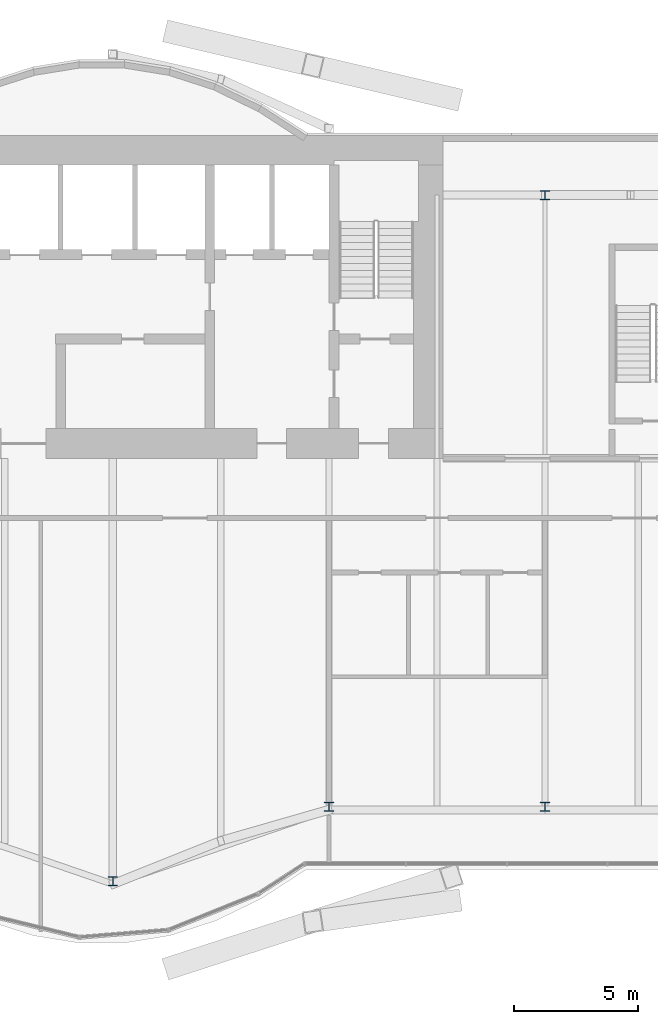
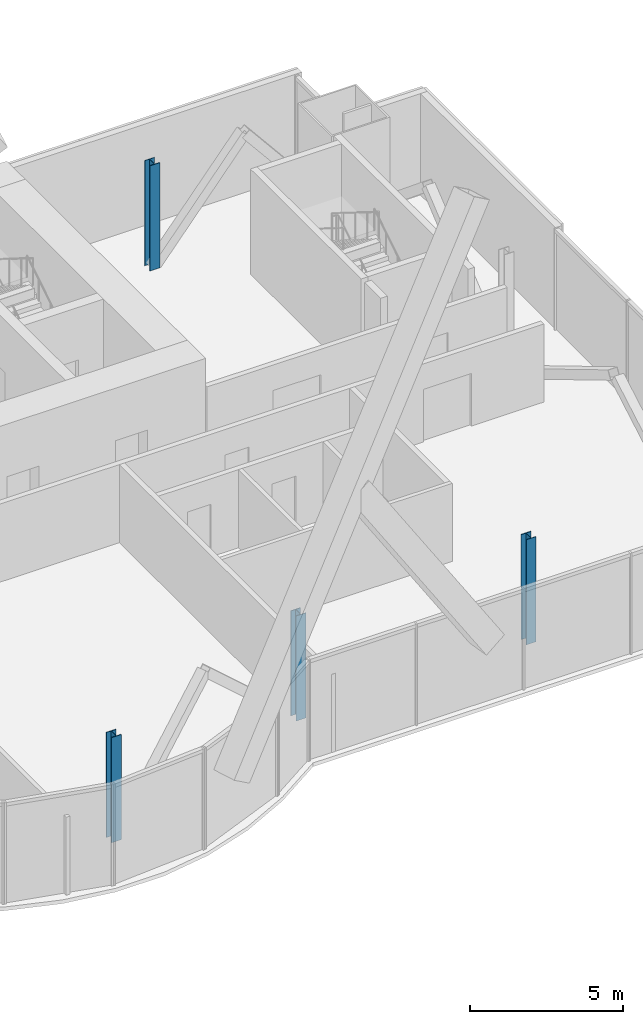
# One storey, part 2 of 22: 4 columns.
"""IFC4 building model written with IfcOpenShell, lengths in metres."""

from ifc_helpers import new_model, si_unit, direction, frame, origin, origin_2d, place, context, subcontext, project, spatial, i_section, extrude, material, material_profile, profile_set, type_object, element, save


model = new_model("IFC4")

# Units and contexts
model_context = context("Model", 3, precision=1e-05, world=origin(), true_north=direction((0.0, 1.0)))
body_context = subcontext(model_context, "Body", "Model", "MODEL_VIEW")
ifc_project = project(units=[si_unit("LENGTHUNIT", "METRE"), si_unit("AREAUNIT", "SQUARE_METRE"), si_unit("VOLUMEUNIT", "CUBIC_METRE"), si_unit("PLANEANGLEUNIT", "RADIAN"), si_unit("MASSUNIT", "GRAM", prefix="KILO")], contexts=[model_context])

# Site, building, storey
site_placement = place(None, origin())
site = spatial("IfcSite", under=ifc_project, at=site_placement, CompositionType="ELEMENT")
building_placement = place(site_placement, origin())
building = spatial("IfcBuilding", under=site, at=building_placement, Name="Bicima Exchange Tower", CompositionType="ELEMENT")
storey_placement = place(building_placement, frame((0.0, 0.0, 254.0)))
storey = spatial("IfcBuildingStorey", under=building, at=storey_placement, Name="L57", CompositionType="ELEMENT", Elevation=254.0)

# Columns
ifc_material = material(Name="Steel ASTM A992 Gr 50", Category="steel")
ifc_material_profile = material_profile(ifc_material, i_section(OverallWidth=0.370849609375, OverallDepth=0.36328125, WebThickness=0.013427734375, FlangeThickness=0.021728515625, at=origin_2d()))
ifc_profile_set = profile_set([ifc_material_profile], Name="Steel ASTM A992 Gr 50")
column_type = type_object("IfcColumnType", Name="Perimeter column W14x109", PredefinedType="COLUMN", material=ifc_profile_set)
for number, where, z_axis, x_axis, name in (
    (1, (8.699951171875, -30.025146484375, 0.0), (0.0, 0.0, 1.0), (1.0, 0.0, 0.0), "Perimeter column grav+8.7f"),
    (2, (17.39990234375, -27.033935546875, 0.0), (0.0, 0.0, 1.0), (1.0, 0.0, 0.0), "Perimeter column grav+17.4f"),
    (3, (26.10009765625, -27.033935546875, 0.0), (0.0, 0.0, 1.0), (1.0, 0.0, 0.0), "Perimeter column grav+26.1f"),
    (4, (26.10009765625, -2.39990234375, 0.0), (0.0, 0.0, 1.0), (1.0, 0.0, 0.0), "Perimeter column grav+26.1r"),
):
    element("IfcColumn", number, at=place(storey_placement, frame(where, z_axis=z_axis, x_axis=x_axis)), inside=storey, type_object=column_type, Name=name, PredefinedType="COLUMN", context=body_context, shape_type="SweptSolid", body=[
        extrude(i_section(OverallWidth=0.370849609375, OverallDepth=0.36328125, WebThickness=0.013427734375, FlangeThickness=0.021728515625, at=origin_2d()), origin(), (0.0, 0.0, 1.0), 4.199951171875),
    ])

save(model, "model.ifc")
